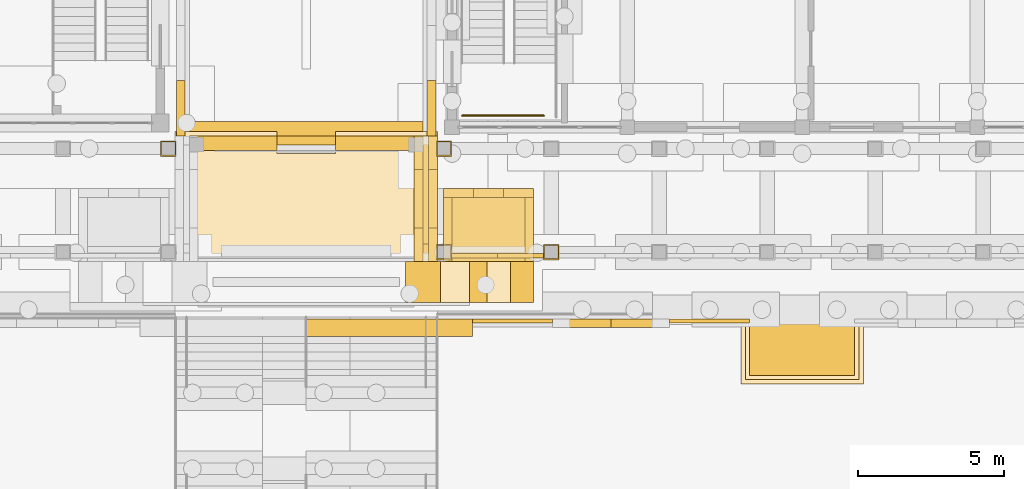
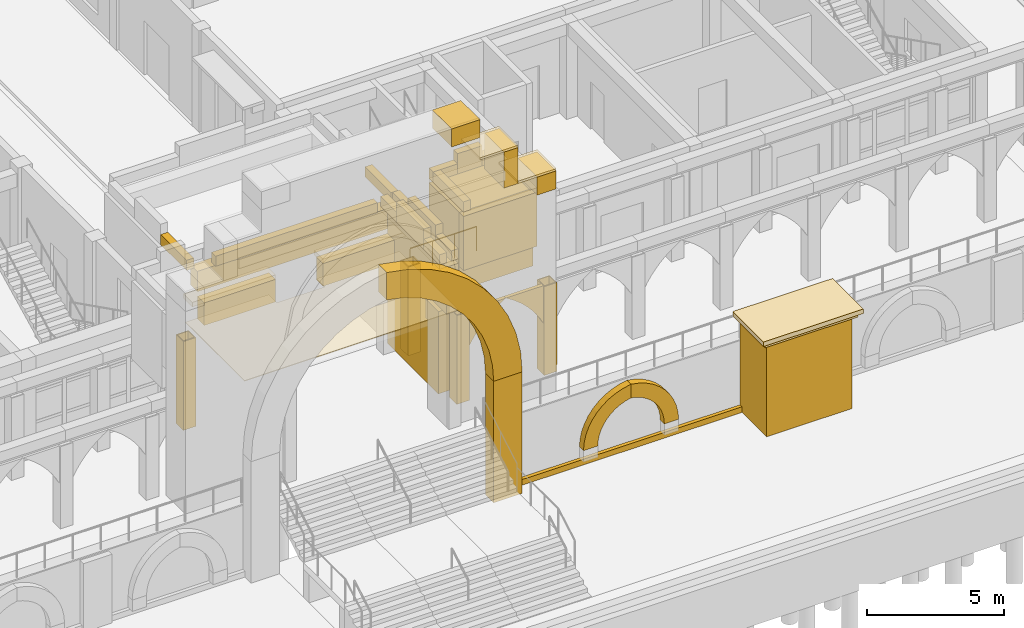
# One storey, part 90 of 161: 45 coverings, 1 railing.
"""IFC4 building model written with IfcOpenShell, lengths in metres."""

from ifc_helpers import new_model, si_unit, direction, frame, origin, origin_2d, place, context, subcontext, project, spatial, polyline, circle, outline, extrude, material, layer, layer_set, type_object, element, save


model = new_model("IFC4")

# Units and contexts
model_context = context("Model", 3, precision=1e-05, world=origin(), true_north=direction((0.0, 1.0)))
body_context = subcontext(model_context, "Body", "Model", "MODEL_VIEW")
ifc_project = project(units=[si_unit("LENGTHUNIT", "METRE"), si_unit("AREAUNIT", "SQUARE_METRE"), si_unit("VOLUMEUNIT", "CUBIC_METRE"), si_unit("PLANEANGLEUNIT", "RADIAN"), si_unit("MASSUNIT", "GRAM", prefix="KILO")], contexts=[model_context])

# Site, building, storey
site_placement = place(None, origin())
site = spatial("IfcSite", under=ifc_project, at=site_placement, CompositionType="ELEMENT")
building_placement = place(site_placement, origin())
building = spatial("IfcBuilding", under=site, at=building_placement, Name="Elbe Cascade School", CompositionType="ELEMENT")
storey_placement = place(building_placement, origin())
storey = spatial("IfcBuildingStorey", under=building, at=storey_placement, Name="L00", CompositionType="ELEMENT", Elevation=0.0)

# Coverings
ifc_material_1 = material(Name="Sandstone - red", Category="masonry")
ifc_layer_1 = layer(ifc_material_1, 0.199951171875)
ifc_layer_set_1 = layer_set([ifc_layer_1], Name="Sandstone - red")
covering_type_1 = type_object("IfcCoveringType", Name="Bastion coping course 200", PredefinedType="CLADDING", material=ifc_layer_set_1)
covering_1_placement = place(storey_placement, frame((0.0, 0.0, 1.0)))
element("IfcCovering", 1, at=covering_1_placement, inside=storey, type_object=covering_type_1, Name="Bastion coping course 1 S2", PredefinedType="CLADDING", context=body_context, shape_type="SweptSolid", body=[
    extrude(outline(polyline([(52.949951171875, -2.64990234375), (52.949951171875, -0.56005859375), (49.050048828125, -0.56005859375), (49.050048828125, -2.64990234375), (52.949951171875, -2.64990234375)])), origin(), (0.0, 0.0, 1.0), 0.199951171875),
])
covering_2_placement = place(storey_placement, frame((0.0, 0.0, 1.199951171875)))
element("IfcCovering", 2, at=covering_2_placement, inside=storey, type_object=covering_type_1, Name="Bastion coping course 2 S2", PredefinedType="CLADDING", context=body_context, shape_type="SweptSolid", body=[
    extrude(outline(polyline([(53.10009765625, -2.800048828125), (53.10009765625, -0.56005859375), (48.89990234375, -0.56005859375), (48.89990234375, -2.800048828125), (53.10009765625, -2.800048828125)])), origin(), (0.0, 0.0, 1.0), 0.199951171875),
])

# Railing
ifc_material_2 = material(Name="Steel S355J2H balustrade", Category="steel")
railing_type = type_object("IfcRailingType", Name="Cafe guard 1100", PredefinedType="GUARDRAIL", material=ifc_material_2)
railing_placement = place(storey_placement, frame((39.35009765625, 6.39990234375, 2.25)))
element("IfcRailing", 3, at=railing_placement, inside=storey, type_object=railing_type, Name="Cafe guard 1100 RL11", PredefinedType="GUARDRAIL", context=body_context, shape_type="SweptSolid", body=[
    extrude(circle(Radius=0.02490234375, at=origin_2d()), frame((0.0, 0.0, 1.0751953125), z_axis=(1.0, 0.0, 0.0), x_axis=(0.0, 1.0, 0.0)), (0.0, 0.0, 1.0), 2.7998046875),
    extrude(circle(Radius=0.02001953125, at=origin_2d()), origin(), (0.0, 0.0, 1.0), 1.050048828125),
    extrude(circle(Radius=0.02001953125, at=origin_2d()), frame((0.933349609375, 0.0, 0.0)), (0.0, 0.0, 1.0), 1.050048828125),
    extrude(circle(Radius=0.02001953125, at=origin_2d()), frame((1.866455078125, 0.0, 0.0)), (0.0, 0.0, 1.0), 1.050048828125),
    extrude(circle(Radius=0.02001953125, at=origin_2d()), frame((2.7998046875, 0.0, 0.0)), (0.0, 0.0, 1.0), 1.050048828125),
])

# Coverings
ifc_material_3 = material(Name="Zinc standing seam roofing")
ifc_layer_2 = layer(ifc_material_3, 0.030029296875)
ifc_layer_set_2 = layer_set([ifc_layer_2], Name="Zinc standing seam roofing")
covering_type_2 = type_object("IfcCoveringType", Name="Gate canopy roofing 30", PredefinedType="ROOFING", material=ifc_layer_set_2)
covering_3_placement = place(storey_placement, frame((0.0, 0.0, 3.89990234375)))
element("IfcCovering", 4, at=covering_3_placement, inside=storey, type_object=covering_type_2, Name="Gate canopy roofing 30 CV17", PredefinedType="ROOFING", context=body_context, shape_type="SweptSolid", body=[
    extrude(outline(polyline([(38.5, 5.699951171875), (38.5, 1.39990234375), (29.5, 1.39990234375), (29.5, 5.699951171875), (33.0, 5.699951171875), (33.0, 5.10009765625), (35.0, 5.10009765625), (35.0, 5.699951171875), (38.5, 5.699951171875)])), origin(), (0.0, 0.0, 1.0), 0.030029296875),
])
ifc_material_4 = material(Name="Sandstone - red", Category="masonry")
ifc_layer_3 = layer(ifc_material_4, 0.300048828125)
ifc_layer_set_3 = layer_set([ifc_layer_3], Name="Sandstone - red")
covering_type_3 = type_object("IfcCoveringType", Name="Gate chamber parapet 300", PredefinedType="CLADDING", material=ifc_layer_set_3)
covering_4_placement = place(storey_placement, frame((0.0, 0.0, 6.199951171875)))
element("IfcCovering", 5, at=covering_4_placement, inside=storey, type_object=covering_type_3, Name="Gate chamber parapet 300 CV16", PredefinedType="CLADDING", context=body_context, shape_type="SweptSolid", body=[
    extrude(outline(polyline([(37.699951171875, 1.39990234375), (38.0, 1.39990234375), (38.0, 2.550048828125), (37.699951171875, 2.550048828125), (37.699951171875, 1.39990234375)])), origin(), (0.0, 0.0, 1.0), 0.449951171875),
])
covering_5_placement = place(storey_placement, frame((0.0, 0.0, 6.199951171875)))
element("IfcCovering", 6, at=covering_5_placement, inside=storey, type_object=covering_type_3, Name="Gate chamber parapet 300 CV16", PredefinedType="CLADDING", context=body_context, shape_type="SweptSolid", body=[
    extrude(outline(polyline([(37.699951171875, 2.550048828125), (38.0, 2.550048828125), (38.0, 4.550048828125), (37.699951171875, 4.550048828125), (37.699951171875, 2.550048828125)])), origin(), (0.0, 0.0, 1.0), 0.900146484375),
])
covering_6_placement = place(storey_placement, frame((0.0, 0.0, 6.199951171875)))
element("IfcCovering", 7, at=covering_6_placement, inside=storey, type_object=covering_type_3, Name="Gate chamber parapet 300 CV16", PredefinedType="CLADDING", context=body_context, shape_type="SweptSolid", body=[
    extrude(outline(polyline([(37.699951171875, 4.550048828125), (38.0, 4.550048828125), (38.0, 5.699951171875), (37.699951171875, 5.699951171875), (37.699951171875, 4.550048828125)])), origin(), (0.0, 0.0, 1.0), 0.449951171875),
])
covering_7_placement = place(storey_placement, frame((0.0, 0.0, 6.199951171875)))
element("IfcCovering", 8, at=covering_7_placement, inside=storey, type_object=covering_type_3, Name="Gate chamber parapet 300 CV16", PredefinedType="CLADDING", context=body_context, shape_type="SweptSolid", body=[
    extrude(outline(polyline([(38.199951171875, 1.39990234375), (38.5, 1.39990234375), (38.5, 2.550048828125), (38.199951171875, 2.550048828125), (38.199951171875, 1.39990234375)])), origin(), (0.0, 0.0, 1.0), 0.449951171875),
])
covering_8_placement = place(storey_placement, frame((0.0, 0.0, 6.199951171875)))
element("IfcCovering", 9, at=covering_8_placement, inside=storey, type_object=covering_type_3, Name="Gate chamber parapet 300 CV16", PredefinedType="CLADDING", context=body_context, shape_type="SweptSolid", body=[
    extrude(outline(polyline([(38.199951171875, 2.550048828125), (38.5, 2.550048828125), (38.5, 4.550048828125), (38.199951171875, 4.550048828125), (38.199951171875, 2.550048828125)])), origin(), (0.0, 0.0, 1.0), 0.900146484375),
])
covering_9_placement = place(storey_placement, frame((0.0, 0.0, 6.199951171875)))
element("IfcCovering", 10, at=covering_9_placement, inside=storey, type_object=covering_type_3, Name="Gate chamber parapet 300 CV16", PredefinedType="CLADDING", context=body_context, shape_type="SweptSolid", body=[
    extrude(outline(polyline([(38.199951171875, 4.550048828125), (38.5, 4.550048828125), (38.5, 5.699951171875), (38.199951171875, 5.699951171875), (38.199951171875, 4.550048828125)])), origin(), (0.0, 0.0, 1.0), 0.449951171875),
])
covering_10_placement = place(storey_placement, frame((0.0, 0.0, 6.199951171875)))
element("IfcCovering", 11, at=covering_10_placement, inside=storey, type_object=covering_type_3, Name="Gate chamber parapet 300 CV16", PredefinedType="CLADDING", context=body_context, shape_type="SweptSolid", body=[
    extrude(outline(polyline([(29.550048828125, 5.699951171875), (29.85009765625, 5.699951171875), (29.85009765625, 7.60009765625), (29.550048828125, 7.60009765625), (29.550048828125, 5.699951171875)])), origin(), (0.0, 0.0, 1.0), 0.449951171875),
])
covering_11_placement = place(storey_placement, frame((0.0, 0.0, 6.199951171875)))
element("IfcCovering", 12, at=covering_11_placement, inside=storey, type_object=covering_type_3, Name="Gate chamber parapet 300 CV16", PredefinedType="CLADDING", context=body_context, shape_type="SweptSolid", body=[
    extrude(outline(polyline([(38.14990234375, 5.699951171875), (38.449951171875, 5.699951171875), (38.449951171875, 7.60009765625), (38.14990234375, 7.60009765625), (38.14990234375, 5.699951171875)])), origin(), (0.0, 0.0, 1.0), 0.449951171875),
])
covering_12_placement = place(storey_placement, frame((0.0, 0.0, 6.199951171875)))
element("IfcCovering", 13, at=covering_12_placement, inside=storey, type_object=covering_type_3, Name="Gate chamber parapet 300 CV16", PredefinedType="CLADDING", context=body_context, shape_type="SweptSolid", body=[
    extrude(outline(polyline([(30.60009765625, 5.39990234375), (37.39990234375, 5.39990234375), (37.39990234375, 5.699951171875), (30.60009765625, 5.699951171875), (30.60009765625, 5.39990234375)])), origin(), (0.0, 0.0, 1.0), 0.449951171875),
])
covering_13_placement = place(storey_placement, frame((0.0, 0.0, 8.199951171875)))
element("IfcCovering", 14, at=covering_13_placement, inside=storey, type_object=covering_type_3, Name="Gate chamber parapet 300 CV16", PredefinedType="CLADDING", context=body_context, shape_type="SweptSolid", body=[
    extrude(outline(polyline([(41.5, 1.39990234375), (41.800048828125, 1.39990234375), (41.800048828125, 3.60009765625), (41.5, 3.60009765625), (41.5, 1.39990234375)])), origin(), (0.0, 0.0, 1.0), 0.449951171875),
])
covering_14_placement = place(storey_placement, frame((0.0, 0.0, 8.199951171875)))
element("IfcCovering", 15, at=covering_14_placement, inside=storey, type_object=covering_type_3, Name="Gate chamber parapet 300 CV16", PredefinedType="CLADDING", context=body_context, shape_type="SweptSolid", body=[
    extrude(outline(polyline([(38.699951171875, 1.39990234375), (39.0, 1.39990234375), (39.0, 3.60009765625), (38.699951171875, 3.60009765625), (38.699951171875, 1.39990234375)])), origin(), (0.0, 0.0, 1.0), 0.449951171875),
])
covering_15_placement = place(storey_placement, frame((0.0, 0.0, 8.199951171875)))
element("IfcCovering", 16, at=covering_15_placement, inside=storey, type_object=covering_type_3, Name="Gate chamber parapet 300 CV16", PredefinedType="CLADDING", context=body_context, shape_type="SweptSolid", body=[
    extrude(outline(polyline([(38.699951171875, 3.60009765625), (39.7333984375, 3.60009765625), (39.7333984375, 3.89990234375), (38.699951171875, 3.89990234375), (38.699951171875, 3.60009765625)])), origin(), (0.0, 0.0, 1.0), 0.449951171875),
])
covering_16_placement = place(storey_placement, frame((0.0, 0.0, 8.199951171875)))
element("IfcCovering", 17, at=covering_16_placement, inside=storey, type_object=covering_type_3, Name="Gate chamber parapet 300 CV16", PredefinedType="CLADDING", context=body_context, shape_type="SweptSolid", body=[
    extrude(outline(polyline([(39.7333984375, 3.60009765625), (40.7666015625, 3.60009765625), (40.7666015625, 3.89990234375), (39.7333984375, 3.89990234375), (39.7333984375, 3.60009765625)])), origin(), (0.0, 0.0, 1.0), 0.900146484375),
])
covering_17_placement = place(storey_placement, frame((0.0, 0.0, 8.199951171875)))
element("IfcCovering", 18, at=covering_17_placement, inside=storey, type_object=covering_type_3, Name="Gate chamber parapet 300 CV16", PredefinedType="CLADDING", context=body_context, shape_type="SweptSolid", body=[
    extrude(outline(polyline([(40.7666015625, 3.60009765625), (41.800048828125, 3.60009765625), (41.800048828125, 3.89990234375), (40.7666015625, 3.89990234375), (40.7666015625, 3.60009765625)])), origin(), (0.0, 0.0, 1.0), 0.449951171875),
])
ifc_material_5 = material(Name="Sandstone - red", Category="masonry")
ifc_layer_4 = layer(ifc_material_5, 0.199951171875)
ifc_layer_set_4 = layer_set([ifc_layer_4], Name="Sandstone - red")
covering_type_4 = type_object("IfcCoveringType", Name="Gate chamber roof 200", PredefinedType="CLADDING", material=ifc_layer_set_4)
covering_18_placement = place(storey_placement, frame((0.0, 0.0, 6.0)))
element("IfcCovering", 19, at=covering_18_placement, inside=storey, type_object=covering_type_4, Name="Gate chamber roof 200 CV15", PredefinedType="CLADDING", context=body_context, shape_type="SweptSolid", body=[
    extrude(outline(polyline([(37.699951171875, 1.39990234375), (38.5, 1.39990234375), (38.5, 5.699951171875), (37.699951171875, 5.699951171875), (37.699951171875, 1.39990234375)])), origin(), (0.0, 0.0, 1.0), 0.199951171875),
])
covering_19_placement = place(storey_placement, frame((0.0, 0.0, 8.0)))
element("IfcCovering", 20, at=covering_19_placement, inside=storey, type_object=covering_type_4, Name="Gate chamber roof 200 CV15", PredefinedType="CLADDING", context=body_context, shape_type="SweptSolid", body=[
    extrude(outline(polyline([(38.699951171875, 1.39990234375), (41.800048828125, 1.39990234375), (41.800048828125, 3.89990234375), (38.699951171875, 3.89990234375), (38.699951171875, 1.39990234375)])), origin(), (0.0, 0.0, 1.0), 0.199951171875),
])
ifc_material_6 = material(Name="Sandstone - red", Category="masonry")
ifc_layer_5 = layer(ifc_material_6, 0.5)
ifc_layer_set_5 = layer_set([ifc_layer_5], Name="Sandstone - red")
covering_type_5 = type_object("IfcCoveringType", Name="Gate chamber wall 500", PredefinedType="CLADDING", material=ifc_layer_set_5)
covering_20_placement = place(storey_placement, frame((0.0, 0.0, 3.89990234375)))
element("IfcCovering", 21, at=covering_20_placement, inside=storey, type_object=covering_type_5, Name="Gate chamber wall 500 CV14", PredefinedType="CLADDING", context=body_context, shape_type="SweptSolid", body=[
    extrude(outline(polyline([(38.0, 1.39990234375), (38.5, 1.39990234375), (38.5, 5.699951171875), (38.0, 5.699951171875), (38.0, 1.39990234375)])), origin(), (0.0, 0.0, 1.0), 2.10009765625),
])
ifc_material_7 = material(Name="Sandstone - red", Category="masonry")
ifc_layer_6 = layer(ifc_material_7, 1.39990234375)
ifc_layer_set_6 = layer_set([ifc_layer_6], Name="Sandstone - red")
covering_type_6 = type_object("IfcCoveringType", Name="Gate crown infill 140", PredefinedType="CLADDING", material=ifc_layer_set_6)
covering_21_placement = place(storey_placement, frame((0.0, 0.0, 12.39990234375)))
element("IfcCovering", 22, at=covering_21_placement, inside=storey, type_object=covering_type_6, Name="Gate crown infill 140 CV9", PredefinedType="CLADDING", context=body_context, shape_type="SweptSolid", body=[
    extrude(outline(polyline([(37.39990234375, 0.0), (38.60009765625, 0.0), (38.60009765625, 1.39990234375), (37.39990234375, 1.39990234375), (37.39990234375, 0.0)])), origin(), (0.0, 0.0, 1.0), 0.800048828125),
])
covering_22_placement = place(storey_placement, frame((0.0, 0.0, 9.800048828125)))
element("IfcCovering", 23, at=covering_22_placement, inside=storey, type_object=covering_type_6, Name="Gate crown infill 140 CV9", PredefinedType="CLADDING", context=body_context, shape_type="SweptSolid", body=[
    extrude(outline(polyline([(39.60009765625, 0.0), (40.199951171875, 0.0), (40.199951171875, 1.39990234375), (39.60009765625, 1.39990234375), (39.60009765625, 0.0)])), origin(), (0.0, 0.0, 1.0), 1.599853515625),
])
covering_23_placement = place(storey_placement, frame((0.0, 0.0, 9.0)))
element("IfcCovering", 24, at=covering_23_placement, inside=storey, type_object=covering_type_6, Name="Gate crown infill 140 CV9", PredefinedType="CLADDING", context=body_context, shape_type="SweptSolid", body=[
    extrude(outline(polyline([(41.0, 0.0), (41.800048828125, 0.0), (41.800048828125, 1.39990234375), (41.0, 1.39990234375), (41.0, 0.0)])), origin(), (0.0, 0.0, 1.0), 0.800048828125),
])
ifc_material_8 = material(Name="Sandstone - red", Category="masonry")
ifc_layer_7 = layer(ifc_material_8, 0.5)
ifc_layer_set_7 = layer_set([ifc_layer_7], Name="Sandstone - red")
covering_type_7 = type_object("IfcCoveringType", Name="Gate hall lintel 500", PredefinedType="CLADDING", material=ifc_layer_set_7)
covering_24_placement = place(storey_placement, frame((0.0, 0.0, 5.10009765625)))
element("IfcCovering", 25, at=covering_24_placement, inside=storey, type_object=covering_type_7, Name="Gate hall lintel 500 CV19", PredefinedType="CLADDING", context=body_context, shape_type="SweptSolid", body=[
    extrude(outline(polyline([(30.0, 5.699951171875), (38.0, 5.699951171875), (38.0, 6.199951171875), (30.0, 6.199951171875), (30.0, 5.699951171875)])), origin(), (0.0, 0.0, 1.0), 0.89990234375),
])
ifc_material_9 = material(Name="Sandstone - red", Category="masonry")
ifc_layer_8 = layer(ifc_material_9, 0.10009765625)
ifc_layer_set_8 = layer_set([ifc_layer_8], Name="Sandstone - red")
covering_type_8 = type_object("IfcCoveringType", Name="Gate parapet coping 100", PredefinedType="CLADDING", material=ifc_layer_set_8)
covering_25_placement = place(storey_placement, frame((0.0, 0.0, 11.39990234375)))
element("IfcCovering", 26, at=covering_25_placement, inside=storey, type_object=covering_type_8, Name="Gate parapet coping 100 CV8", PredefinedType="CLADDING", context=body_context, shape_type="SweptSolid", body=[
    extrude(outline(polyline([(38.60009765625, 0.0), (40.199951171875, 0.0), (40.199951171875, 1.39990234375), (38.60009765625, 1.39990234375), (38.60009765625, 0.0)])), origin(), (0.0, 0.0, 1.0), 0.10009765625),
])
covering_26_placement = place(storey_placement, frame((0.0, 0.0, 9.800048828125)))
element("IfcCovering", 27, at=covering_26_placement, inside=storey, type_object=covering_type_8, Name="Gate parapet coping 100 CV8", PredefinedType="CLADDING", context=body_context, shape_type="SweptSolid", body=[
    extrude(outline(polyline([(40.199951171875, 0.0), (41.800048828125, 0.0), (41.800048828125, 1.39990234375), (40.199951171875, 1.39990234375), (40.199951171875, 0.0)])), origin(), (0.0, 0.0, 1.0), 0.099853515625),
])
ifc_material_10 = material(Name="Sandstone - red", Category="masonry")
ifc_layer_9 = layer(ifc_material_10, 0.199951171875)
ifc_layer_set_9 = layer_set([ifc_layer_9], Name="Sandstone - red")
covering_type_9 = type_object("IfcCoveringType", Name="Gate porch cornice 650", PredefinedType="CLADDING", material=ifc_layer_set_9)
covering_27_placement = place(storey_placement, frame((0.0, 0.0, 4.89990234375)))
element("IfcCovering", 28, at=covering_27_placement, inside=storey, type_object=covering_type_9, Name="Gate porch cornice 650 CV13", PredefinedType="CLADDING", context=body_context, shape_type="SweptSolid", body=[
    extrude(outline(polyline([(29.5, 5.199951171875), (33.0, 5.199951171875), (33.0, 5.85009765625), (29.5, 5.85009765625), (29.5, 5.199951171875)])), origin(), (0.0, 0.0, 1.0), 0.2001953125),
])
covering_28_placement = place(storey_placement, frame((0.0, 0.0, 4.89990234375)))
element("IfcCovering", 29, at=covering_28_placement, inside=storey, type_object=covering_type_9, Name="Gate porch cornice 650 CV13", PredefinedType="CLADDING", context=body_context, shape_type="SweptSolid", body=[
    extrude(outline(polyline([(35.0, 5.199951171875), (38.5, 5.199951171875), (38.5, 5.85009765625), (35.0, 5.85009765625), (35.0, 5.199951171875)])), origin(), (0.0, 0.0, 1.0), 0.2001953125),
])
ifc_material_11 = material(Name="Sandstone - red", Category="masonry")
ifc_layer_10 = layer(ifc_material_11, 0.5)
ifc_layer_set_10 = layer_set([ifc_layer_10], Name="Sandstone - red")
covering_type_10 = type_object("IfcCoveringType", Name="Gate porch parapet 500", PredefinedType="CLADDING", material=ifc_layer_set_10)
covering_29_placement = place(storey_placement, frame((0.0, 0.0, 3.89990234375)))
element("IfcCovering", 30, at=covering_29_placement, inside=storey, type_object=covering_type_10, Name="Gate porch parapet 500 CV12", PredefinedType="CLADDING", context=body_context, shape_type="SweptSolid", body=[
    extrude(outline(polyline([(30.0, 5.199951171875), (33.0, 5.199951171875), (33.0, 5.699951171875), (30.0, 5.699951171875), (30.0, 5.199951171875)])), origin(), (0.0, 0.0, 1.0), 1.0),
])
covering_30_placement = place(storey_placement, frame((0.0, 0.0, 3.89990234375)))
element("IfcCovering", 31, at=covering_30_placement, inside=storey, type_object=covering_type_10, Name="Gate porch parapet 500 CV12", PredefinedType="CLADDING", context=body_context, shape_type="SweptSolid", body=[
    extrude(outline(polyline([(35.0, 5.199951171875), (38.0, 5.199951171875), (38.0, 5.699951171875), (35.0, 5.699951171875), (35.0, 5.199951171875)])), origin(), (0.0, 0.0, 1.0), 1.0),
])
ifc_material_12 = material(Name="Sandstone - red", Category="masonry")
ifc_layer_11 = layer(ifc_material_12, 0.5)
ifc_layer_set_11 = layer_set([ifc_layer_11], Name="Sandstone - red")
covering_type_11 = type_object("IfcCoveringType", Name="Gate porch return wall 500", PredefinedType="CLADDING", material=ifc_layer_set_11)
covering_31_placement = place(storey_placement, origin())
element("IfcCovering", 32, at=covering_31_placement, inside=storey, type_object=covering_type_11, Name="Gate porch return wall 500 CV11", PredefinedType="CLADDING", context=body_context, shape_type="SweptSolid", body=[
    extrude(outline(polyline([(38.0, 2.0), (38.5, 2.0), (38.5, 5.699951171875), (38.0, 5.699951171875), (38.0, 2.0)])), origin(), (0.0, 0.0, 1.0), 3.64990234375),
])
ifc_material_13 = material(Name="Sandstone - red", Category="masonry")
ifc_layer_12 = layer(ifc_material_13, 2.199951171875)
ifc_layer_set_12 = layer_set([ifc_layer_12], Name="Sandstone - red")
covering_type_12 = type_object("IfcCoveringType", Name="Gate pylon wing block 220", PredefinedType="CLADDING", material=ifc_layer_set_12)
covering_32_placement = place(storey_placement, frame((0.0, 0.0, 4.5400390625)))
element("IfcCovering", 33, at=covering_32_placement, inside=storey, type_object=covering_type_12, Name="Gate pylon wing block 220 CV21", PredefinedType="CLADDING", context=body_context, shape_type="SweptSolid", body=[
    extrude(outline(polyline([(38.699951171875, 1.699951171875), (41.800048828125, 1.699951171875), (41.800048828125, 3.89990234375), (38.699951171875, 3.89990234375), (38.699951171875, 1.699951171875)])), origin(), (0.0, 0.0, 1.0), 3.4599609375),
])
ifc_material_14 = material(Name="Sandstone - red", Category="masonry")
ifc_layer_13 = layer(ifc_material_14, 0.300048828125)
ifc_layer_set_13 = layer_set([ifc_layer_13], Name="Sandstone - red")
covering_type_13 = type_object("IfcCoveringType", Name="Gate pylon wing link 030", PredefinedType="CLADDING", material=ifc_layer_set_13)
covering_33_placement = place(storey_placement, frame((0.0, 0.0, 5.60009765625)))
element("IfcCovering", 34, at=covering_33_placement, inside=storey, type_object=covering_type_13, Name="Gate pylon wing link 030 CV22", PredefinedType="CLADDING", context=body_context, shape_type="SweptSolid", body=[
    extrude(outline(polyline([(38.699951171875, 1.39990234375), (41.800048828125, 1.39990234375), (41.800048828125, 1.699951171875), (38.699951171875, 1.699951171875), (38.699951171875, 1.39990234375)])), origin(), (0.0, 0.0, 1.0), 2.39990234375),
])
ifc_material_15 = material(Name="Sandstone - red", Category="masonry")
ifc_layer_14 = layer(ifc_material_15, 0.14990234375)
ifc_layer_set_14 = layer_set([ifc_layer_14], Name="Sandstone - red")
covering_type_14 = type_object("IfcCoveringType", Name="Plinth base course 150x250", PredefinedType="CLADDING", material=ifc_layer_set_14)
covering_34_placement = place(storey_placement, frame((0.0, 0.0, -3.10009765625)))
element("IfcCovering", 35, at=covering_34_placement, inside=storey, type_object=covering_type_14, Name="Plinth base course south 0.3.1", PredefinedType="CLADDING", context=body_context, shape_type="SweptSolid", body=[
    extrude(outline(polyline([(39.699951171875, -0.7099609375), (49.199951171875, -0.7099609375), (49.199951171875, -0.56005859375), (39.699951171875, -0.56005859375), (39.699951171875, -0.7099609375)])), origin(), (0.0, 0.0, 1.0), 0.25),
])
ifc_material_16 = material(Name="Sandstone - red", Category="masonry")
ifc_layer_15 = layer(ifc_material_16, 2.300048828125)
ifc_layer_set_15 = layer_set([ifc_layer_15], Name="Sandstone - red")
covering_type_15 = type_object("IfcCoveringType", Name="Plinth bastion 3600x2300", PredefinedType="CLADDING", material=ifc_layer_set_15)
covering_35_placement = place(storey_placement, frame((0.0, 0.0, -3.10009765625)))
element("IfcCovering", 36, at=covering_35_placement, inside=storey, type_object=covering_type_15, Name="Plinth bastion S2 1", PredefinedType="CLADDING", context=body_context, shape_type="SweptSolid", body=[
    extrude(outline(polyline([(49.199951171875, -2.5), (52.800048828125, -2.5), (52.800048828125, -0.56005859375), (49.199951171875, -0.56005859375), (49.199951171875, -2.5)])), origin(), (0.0, 0.0, 1.0), 4.10009765625),
])
ifc_material_17 = material(Name="Sandstone - red", Category="masonry")
ifc_layer_16 = layer(ifc_material_17, 0.300048828125)
ifc_layer_set_16 = layer_set([ifc_layer_16], Name="Sandstone - red")
covering_type_16 = type_object("IfcCoveringType", Name="Plinth niche arch band 600x300", PredefinedType="CLADDING", material=ifc_layer_set_16)
covering_36_placement = place(storey_placement, frame((42.449951171875, -0.860107421875, -2.35009765625), z_axis=(0.0, -1.0, 0.0), x_axis=(1.0, 0.0, 0.0)))
element("IfcCovering", 37, at=covering_36_placement, inside=storey, type_object=covering_type_16, Name="Plinth niche arch band south 0.3.1a", PredefinedType="CLADDING", context=body_context, shape_type="SweptSolid", body=[
    extrude(outline(polyline([(0.0, 0.0), (0.60009765625, 0.0), (0.616455078125, 0.234619140625), (0.665771484375, 0.464599609375), (0.746826171875, 0.685302734375), (0.858154296875, 0.892578125), (0.997314453125, 1.08203125), (1.16162109375, 1.250244140625), (1.347900390625, 1.393798828125), (1.552490234375, 1.509521484375), (1.771240234375, 1.595703125), (2.0, 1.650146484375), (2.0, 2.256103515625), (1.6767578125, 2.193115234375), (1.365966796875, 2.083984375), (1.074462890625, 1.930908203125), (0.807861328125, 1.737548828125), (0.572021484375, 1.507568359375), (0.3720703125, 1.245849609375), (0.2119140625, 0.9580078125), (0.094970703125, 0.650146484375), (0.02392578125, 0.32861328125), (0.0, 0.0)])), origin(), (0.0, 0.0, -1.0), 0.300048828125),
])
covering_37_placement = place(storey_placement, frame((46.426025390625, -0.860107421875, -2.021484375), z_axis=(0.0, -1.0, 0.0), x_axis=(-0.215752753128, 0.0, 0.976448027044)))
element("IfcCovering", 38, at=covering_37_placement, inside=storey, type_object=covering_type_16, Name="Plinth niche arch band south 0.3.1b", PredefinedType="CLADDING", context=body_context, shape_type="SweptSolid", body=[
    extrude(outline(polyline([(0.0, 0.0), (0.32928859931076776, 0.0), (0.6550773634947065, 0.04752879278133701), (0.9706940700222042, 0.14181038697143714), (1.2694415169352804, 0.2808241640277199), (1.544888587491183, 0.4614905948572066), (1.7911613148059853, 0.6798569564361285), (2.003577685153772, 0.9317071556807464), (2.1771923147486576, 1.211633146349308), (2.308437489582378, 1.513672447496494), (1.7167519419450257, 1.644409345266023), (1.614235281859136, 1.4327836281292001), (1.482834800144691, 1.2375411578157185), (1.325696818714002, 1.0627372902180776), (1.145332856180193, 0.9118175573579581), (0.9456321009340092, 0.7876730565534729), (0.730616783973809, 0.6926654298475355), (0.5042564622859574, 0.6289179286514578), (0.2712635593352524, 0.5973895458021641), (0.03605943394289521, 0.5988535575169711), (-0.19661579584269034, 0.6332627200943994), (-0.32603584331236496, 0.04753693824710932), (0.0, 0.0)])), origin(), (0.0, 0.0, -1.0), 0.300048828125),
])
ifc_material_18 = material(Name="Sandstone - red", Category="masonry")
ifc_layer_17 = layer(ifc_material_18, 0.14990234375)
ifc_layer_set_17 = layer_set([ifc_layer_17], Name="Sandstone - red")
covering_type_17 = type_object("IfcCoveringType", Name="Sandstone arch spandrel 3145x150", PredefinedType="CLADDING", material=ifc_layer_set_17)
covering_38_placement = place(storey_placement, frame((38.989990234375, 1.52490234375, 3.64990234375), z_axis=(0.0, -1.0, 0.0), x_axis=(0.0, 0.0, -1.0)))
element("IfcCovering", 39, at=covering_38_placement, inside=storey, type_object=covering_type_17, Name="Colonnade arch spandrel 9l", PredefinedType="CLADDING", context=body_context, shape_type="SweptSolid", body=[
    extrude(outline(polyline([(0.0, 0.0), (1.64990234375, 0.0), (1.397705078125, 0.140625), (1.156005859375, 0.299072265625), (0.9267578125, 0.474609375), (0.71044921875, 0.666259765625), (0.5087890625, 0.872802734375), (0.322509765625, 1.09375), (0.152587890625, 1.327392578125), (0.0, 1.572509765625), (0.0, 0.0)])), origin(), (0.0, 0.0, -1.0), 0.14990234375),
])
covering_39_placement = place(storey_placement, frame((40.5625, 1.52490234375, 3.64990234375), z_axis=(0.0, -1.0, 0.0), x_axis=(0.848947014287, 0.0, -0.528477972041)))
element("IfcCovering", 40, at=covering_39_placement, inside=storey, type_object=covering_type_17, Name="Colonnade arch spandrel 9r", PredefinedType="CLADDING", context=body_context, shape_type="SweptSolid", body=[
    extrude(outline(polyline([(0.0, 0.0), (0.28873084347415523, 0.0), (0.5768809804891886, -0.020779712573322895), (0.8628980070022285, -0.06215520261329349), (1.1448149940610837, -0.12420058089802222), (1.421830347929256, -0.20655210594831497), (1.692004595736695, -0.30840405529351655), (1.954250641779975, -0.42985799579387873), (2.206914515155973, -0.5696428966393007), (1.3349774704647597, 0.8310367719526642), (0.0, 0.0)])), origin(), (0.0, 0.0, -1.0), 0.14990234375),
])
ifc_material_19 = material(Name="Sandstone - red", Category="masonry")
ifc_layer_18 = layer(ifc_material_19, 0.0400390625)
ifc_layer_set_18 = layer_set([ifc_layer_18], Name="Sandstone - red")
covering_type_18 = type_object("IfcCoveringType", Name="Sandstone column cladding 40", PredefinedType="CLADDING", material=ifc_layer_set_18)
covering_40_placement = place(storey_placement, frame((0.0, 0.0, -0.300048828125)))
element("IfcCovering", 41, at=covering_40_placement, inside=storey, type_object=covering_type_18, Name="Colonnade column sandstone cladding F9", PredefinedType="CLADDING", context=body_context, shape_type="SweptSolid", body=[
    extrude(outline(polyline([(38.4599609375, 1.4599609375), (38.989990234375, 1.4599609375), (38.989990234375, 1.989990234375), (38.4599609375, 1.989990234375), (38.4599609375, 1.4599609375)]), holes=[polyline([(38.5, 1.949951171875), (38.949951171875, 1.949951171875), (38.949951171875, 1.5), (38.5, 1.5), (38.5, 1.949951171875)])]), origin(), (0.0, 0.0, 1.0), 3.949951171875),
])
covering_41_placement = place(storey_placement, frame((0.0, 0.0, -0.300048828125)))
element("IfcCovering", 42, at=covering_41_placement, inside=storey, type_object=covering_type_18, Name="Colonnade column sandstone cladding F10", PredefinedType="CLADDING", context=body_context, shape_type="SweptSolid", body=[
    extrude(outline(polyline([(42.135009765625, 1.4599609375), (42.6650390625, 1.4599609375), (42.6650390625, 1.989990234375), (42.135009765625, 1.989990234375), (42.135009765625, 1.4599609375)]), holes=[polyline([(42.175048828125, 1.949951171875), (42.625, 1.949951171875), (42.625, 1.5), (42.175048828125, 1.5), (42.175048828125, 1.949951171875)])]), origin(), (0.0, 0.0, 1.0), 3.949951171875),
])
covering_42_placement = place(storey_placement, frame((0.0, 0.0, -0.300048828125)))
element("IfcCovering", 43, at=covering_42_placement, inside=storey, type_object=covering_type_18, Name="Colonnade column sandstone cladding R8", PredefinedType="CLADDING", context=body_context, shape_type="SweptSolid", body=[
    extrude(outline(polyline([(29.010009765625, 5.010009765625), (29.5400390625, 5.010009765625), (29.5400390625, 5.5400390625), (29.010009765625, 5.5400390625), (29.010009765625, 5.010009765625)]), holes=[polyline([(29.050048828125, 5.5), (29.5, 5.5), (29.5, 5.050048828125), (29.050048828125, 5.050048828125), (29.050048828125, 5.5)])]), origin(), (0.0, 0.0, 1.0), 3.949951171875),
])
covering_43_placement = place(storey_placement, frame((0.0, 0.0, -0.300048828125)))
element("IfcCovering", 44, at=covering_43_placement, inside=storey, type_object=covering_type_18, Name="Colonnade column sandstone cladding R9", PredefinedType="CLADDING", context=body_context, shape_type="SweptSolid", body=[
    extrude(outline(polyline([(38.4599609375, 5.010009765625), (38.989990234375, 5.010009765625), (38.989990234375, 5.5400390625), (38.4599609375, 5.5400390625), (38.4599609375, 5.010009765625)]), holes=[polyline([(38.5, 5.5), (38.949951171875, 5.5), (38.949951171875, 5.050048828125), (38.5, 5.050048828125), (38.5, 5.5)])]), origin(), (0.0, 0.0, 1.0), 3.949951171875),
])
ifc_material_20 = material(Name="Sandstone - red", Category="masonry")
ifc_layer_19 = layer(ifc_material_20, 0.60009765625)
ifc_layer_set_19 = layer_set([ifc_layer_19], Name="Sandstone - red")
covering_type_19 = type_object("IfcCoveringType", Name="Water gate arch band 1200x600", PredefinedType="CLADDING", material=ifc_layer_set_19)
covering_44_placement = place(storey_placement, frame((39.6318359375, -1.159912109375, 3.23486328125), z_axis=(0.0, -1.0, 0.0), x_axis=(-0.216158286659, 0.0, 0.976358333353)))
element("IfcCovering", 45, at=covering_44_placement, inside=storey, type_object=covering_type_19, Name="Water gate arch band east", PredefinedType="CLADDING", context=body_context, shape_type="SweptSolid", body=[
    extrude(outline(polyline([(0.0, 0.0), (0.9374459886886959, -2.7755575615628914e-17), (1.8649865452547933, 0.13597095561755368), (2.762922455358784, 0.40477255430028214), (3.6128009016436327, 0.8009881224915486), (4.395959754970111, 1.315996647057834), (5.096227899869312, 1.9388752574990704), (5.699024532626936, 2.6568486867591883), (6.191439210959411, 3.4545213920057223), (6.5632635983302965, 4.315149447974577), (5.381669785236254, 4.57674530416771), (5.067139157356386, 3.8969733097799457), (4.659275884425385, 3.268870933420945), (4.166093771946176, 2.704916959509975), (3.597751944025241, 2.2171152152934686), (2.9658415174660555, 1.8149020252606678), (2.283225502416863, 1.5066819695844065), (1.5637749372746463, 1.2986360404524633), (0.8218921512176741, 1.1948271881059722), (0.07290745199684115, 1.197862654021403), (-0.6680581644191497, 1.307145340098343), (-0.9274375538057238, 0.1355630138209135), (0.0, 0.0)])), origin(), (0.0, 0.0, -1.0), 0.60009765625),
])
ifc_material_21 = material(Name="Sandstone - red", Category="masonry")
ifc_layer_20 = layer(ifc_material_21, 0.60009765625)
ifc_layer_set_20 = layer_set([ifc_layer_20], Name="Sandstone - red")
covering_type_20 = type_object("IfcCoveringType", Name="Water gate jamb 1200x600", PredefinedType="CLADDING", material=ifc_layer_set_20)
covering_45_placement = place(storey_placement, frame((0.0, 0.0, -3.10009765625)))
element("IfcCovering", 46, at=covering_45_placement, inside=storey, type_object=covering_type_20, Name="Water gate jamb east", PredefinedType="CLADDING", context=body_context, shape_type="SweptSolid", body=[
    extrude(outline(polyline([(38.5, -1.159912109375), (39.699951171875, -1.159912109375), (39.699951171875, -0.56005859375), (38.5, -0.56005859375), (38.5, -1.159912109375)])), origin(), (0.0, 0.0, 1.0), 5.400146484375),
])

save(model, "model.ifc")
